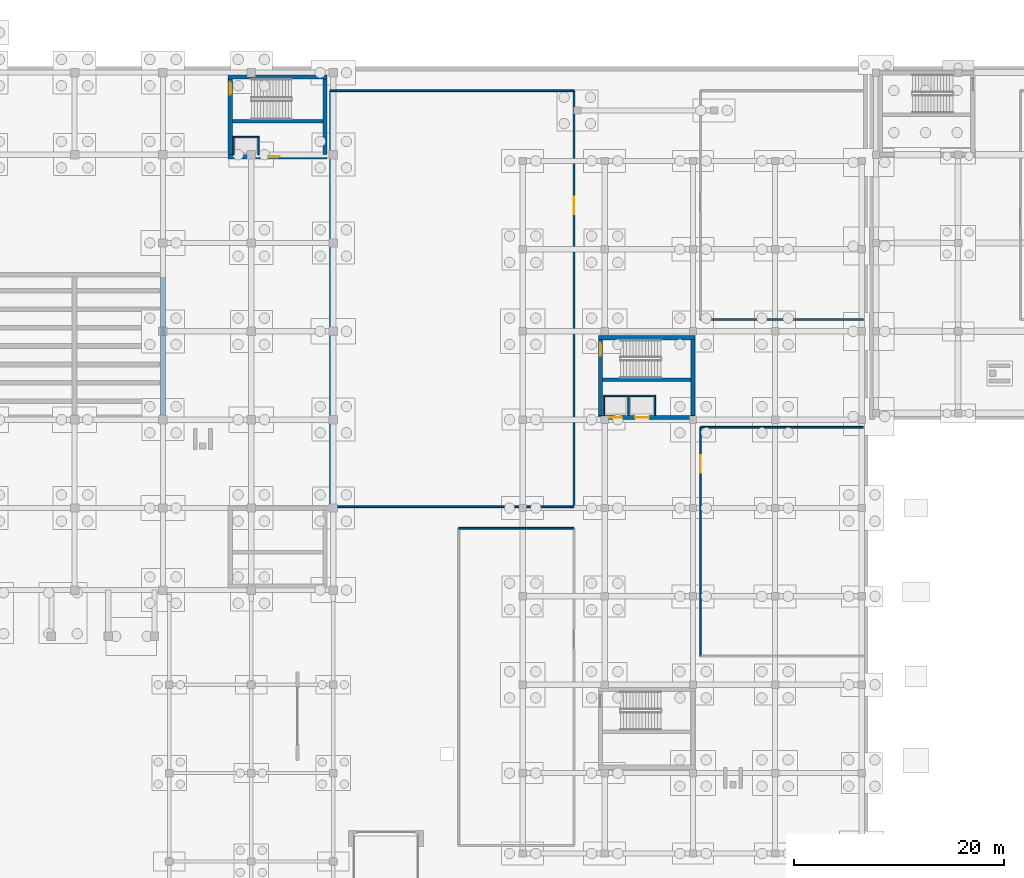
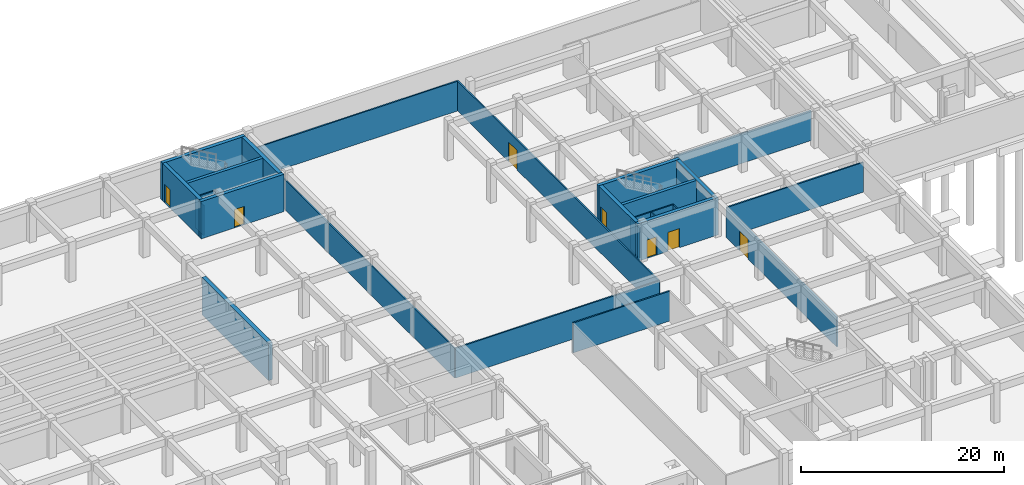
# One storey, part 21 of 35: 26 walls, 7 doors, 7 openings.
"""IFC4 building model written with IfcOpenShell, lengths in metres."""

from ifc_helpers import new_model, si_unit, direction, frame, frame_2d, origin, place, context, subcontext, project, spatial, rectangle, extrude, material, layer, layer_set, type_object, element, fill, save


model = new_model("IFC4")

# Units and contexts
model_context = context("Model", 3, precision=1e-05, world=origin(), true_north=direction((0.0, 1.0)))
body_context = subcontext(model_context, "Body", "Model", "MODEL_VIEW")
ifc_project = project(units=[si_unit("LENGTHUNIT", "METRE"), si_unit("AREAUNIT", "SQUARE_METRE"), si_unit("VOLUMEUNIT", "CUBIC_METRE"), si_unit("PLANEANGLEUNIT", "RADIAN"), si_unit("MASSUNIT", "GRAM", prefix="KILO")], contexts=[model_context])

# Site, building, storey
site_placement = place(None, origin())
site = spatial("IfcSite", under=ifc_project, at=site_placement, CompositionType="ELEMENT")
building_placement = place(site_placement, origin())
building = spatial("IfcBuilding", under=site, at=building_placement, Name="Zayran Congress Hotel", CompositionType="ELEMENT")
storey_placement = place(building_placement, frame((0.0, 0.0, -4.800048828125)))
storey = spatial("IfcBuildingStorey", under=building, at=storey_placement, Name="B1", CompositionType="ELEMENT", Elevation=-4.800048828125)

# Wall
ifc_material_1 = material(Name="Concrete C32/40", Category="concrete")
ifc_layer_1 = layer(ifc_material_1, 0.449951171875)
ifc_layer_set_1 = layer_set([ifc_layer_1], Name="Concrete C32/40")
wall_type_1 = type_object("IfcWallType", Name="WL-RT-450", PredefinedType="USERDEFINED", material=ifc_layer_set_1)
wall_1_placement = place(storey_placement, frame((75.60009765625, 84.85009765625, 0.0), z_axis=(0.0, 0.0, 1.0), x_axis=(0.0, 1.0, 0.0)))
element("IfcWall", 1, at=wall_1_placement, inside=storey, type_object=wall_type_1, Name="RKWALL-B1-75", ObjectType="RETAININGWALL", PredefinedType="USERDEFINED", context=body_context, shape_type="SweptSolid", body=[
    extrude(rectangle(XDim=13.099853515625, YDim=0.449951171875, at=frame_2d((6.5498046875, 0.0))), origin(), (0.0, 0.0, 1.0), 4.47998046875),
])

# Wall, opening, door
ifc_material_2 = material(Name="Concrete C40/50", Category="concrete")
ifc_layer_2 = layer(ifc_material_2, 0.39990234375)
ifc_layer_set_2 = layer_set([ifc_layer_2], Name="Concrete C40/50")
wall_type_2 = type_object("IfcWallType", Name="WL-SH-400", PredefinedType="SHEAR", material=ifc_layer_set_2)
wall_2_placement = place(storey_placement, frame((81.800048828125, 109.39990234375, 0.0), z_axis=(0.0, 0.0, 1.0), x_axis=(1.0, 0.0, 0.0)))
wall_2 = element("IfcWall", 2, at=wall_2_placement, inside=storey, type_object=wall_type_2, Name="CWALL-C-V1E-B1-S", PredefinedType="SHEAR", context=body_context, shape_type="SweptSolid", body=[
    extrude(rectangle(XDim=9.39990234375, YDim=0.39990234375, at=frame_2d((4.699951171875, 0.0))), origin(), (0.0, 0.0, 1.0), 4.47998046875),
])
opening_1_placement = place(wall_2_placement, frame((3.800048828125, 0.0, 0.0)))
opening_1 = element("IfcOpeningElement", 3, at=opening_1_placement, cuts=wall_2, Name="Opening LD-PL05", PredefinedType="OPENING", context=body_context, shape_type="SweptSolid", body=[
    extrude(rectangle(XDim=1.10009765625, YDim=2.199951171875, at=frame_2d((0.550048828125, 1.10009765625))), frame((0.0, 0.2099609375, 0.0), z_axis=(0.0, -1.0, 0.0), x_axis=(1.0, 0.0, 0.0)), (0.0, 0.0, 1.0), 0.419921875),
])
ifc_material_3 = material(Name="Brushed stainless steel sliding lift landing door", Category="steel")
door_type_1 = type_object("IfcDoorType", Name="TP-DR-LD-01", OperationType="DOUBLE_DOOR_SLIDING", PredefinedType="DOOR", material=ifc_material_3)
door_1_placement = place(opening_1_placement, origin())
door_1 = element("IfcDoor", 4, at=door_1_placement, inside=storey, type_object=door_type_1, Name="Lift PL-05 Sliding Landing Door B1", OperationType="DOUBLE_DOOR_SLIDING", OverallHeight=2.199951171875, OverallWidth=1.10009765625, PredefinedType="DOOR", context=body_context, shape_type="SweptSolid", body=[
    extrude(rectangle(XDim=1.10009765625, YDim=2.199951171875, at=frame_2d((0.550048828125, 1.10009765625))), frame((0.0, 0.02490234375, 0.0), z_axis=(0.0, -1.0, 0.0), x_axis=(1.0, 0.0, 0.0)), (0.0, 0.0, 1.0), 0.050048828125),
])
fill(opening_1, door_1)

# Wall
wall_3_placement = place(storey_placement, frame((91.199951171875, 116.985107421875, 0.0), z_axis=(0.0, 0.0, 1.0), x_axis=(-1.0, 0.0, 0.0)))
element("IfcWall", 5, at=wall_3_placement, inside=storey, type_object=wall_type_2, Name="CWALL-C-V1E-B1-N", PredefinedType="SHEAR", context=body_context, shape_type="SweptSolid", body=[
    extrude(rectangle(XDim=9.39990234375, YDim=0.39990234375, at=frame_2d((4.699951171875, 0.0))), origin(), (0.0, 0.0, 1.0), 4.47998046875),
])

# Wall, opening, door
wall_4_placement = place(storey_placement, frame((82.0, 116.800048828125, 0.0), z_axis=(0.0, 0.0, 1.0), x_axis=(0.0, -1.0, 0.0)))
wall_4 = element("IfcWall", 6, at=wall_4_placement, inside=storey, type_object=wall_type_2, Name="CWALL-C-V1E-B1-W", PredefinedType="SHEAR", context=body_context, shape_type="SweptSolid", body=[
    extrude(rectangle(XDim=7.199951171875, YDim=0.39990234375, at=frame_2d((3.60009765625, 0.0))), origin(), (0.0, 0.0, 1.0), 4.47998046875),
])
opening_2_placement = place(wall_4_placement, frame((0.35009765625, 0.0, 0.0)))
opening_2 = element("IfcOpeningElement", 7, at=opening_2_placement, cuts=wall_4, Name="Opening DR-FD-90", PredefinedType="OPENING", context=body_context, shape_type="SweptSolid", body=[
    extrude(rectangle(XDim=1.14990234375, YDim=2.199951171875, at=frame_2d((0.574951171875, 1.10009765625))), frame((0.0, 0.2099609375, 0.0), z_axis=(0.0, -1.0, 0.0), x_axis=(1.0, 0.0, 0.0)), (0.0, 0.0, 1.0), 0.419921875),
])
ifc_material_4 = material(Name="Painted steel fire door assembly", Category="steel")
door_type_2 = type_object("IfcDoorType", Name="TP-DR-FD-90", OperationType="NOTDEFINED", PredefinedType="DOOR", material=ifc_material_4)
door_2_placement = place(opening_2_placement, origin())
door_2 = element("IfcDoor", 8, at=door_2_placement, inside=storey, type_object=door_type_2, Name="ST-04 Exit Stair Door B1", OperationType="SINGLE_SWING_LEFT", OverallHeight=2.199951171875, OverallWidth=1.14990234375, PredefinedType="DOOR", context=body_context, shape_type="SweptSolid", body=[
    extrude(rectangle(XDim=1.14990234375, YDim=2.199951171875, at=frame_2d((0.574951171875, 1.10009765625))), frame((0.0, 0.02490234375, 0.0), z_axis=(0.0, -1.0, 0.0), x_axis=(1.0, 0.0, 0.0)), (0.0, 0.0, 1.0), 0.050048828125),
])
fill(opening_2, door_2)

# Wall
wall_5_placement = place(storey_placement, frame((91.0, 109.60009765625, 0.0), z_axis=(0.0, 0.0, 1.0), x_axis=(0.0, 1.0, 0.0)))
element("IfcWall", 9, at=wall_5_placement, inside=storey, type_object=wall_type_2, Name="CWALL-C-V1E-B1-E", PredefinedType="SHEAR", context=body_context, shape_type="SweptSolid", body=[
    extrude(rectangle(XDim=7.199951171875, YDim=0.39990234375, at=frame_2d((3.60009765625, 0.0))), origin(), (0.0, 0.0, 1.0), 4.47998046875),
])

# Wall, openings, doors
wall_6_placement = place(storey_placement, frame((117.0, 84.60009765625, 0.0), z_axis=(0.0, 0.0, 1.0), x_axis=(1.0, 0.0, 0.0)))
wall_6 = element("IfcWall", 10, at=wall_6_placement, inside=storey, type_object=wall_type_2, Name="CWALL-C-V4N-B1-S", PredefinedType="SHEAR", context=body_context, shape_type="SweptSolid", body=[
    extrude(rectangle(XDim=9.199951171875, YDim=0.39990234375, at=frame_2d((4.60009765625, 0.0))), origin(), (0.0, 0.0, 1.0), 4.47998046875),
])
opening_3_placement = place(wall_6_placement, frame((1.10009765625, 0.0, 0.0)))
opening_3 = element("IfcOpeningElement", 11, at=opening_3_placement, cuts=wall_6, Name="Opening LD-PL06", PredefinedType="OPENING", context=body_context, shape_type="SweptSolid", body=[
    extrude(rectangle(XDim=1.10009765625, YDim=2.199951171875, at=frame_2d((0.550048828125, 1.10009765625))), frame((0.0, 0.2099609375, 0.0), z_axis=(0.0, -1.0, 0.0), x_axis=(1.0, 0.0, 0.0)), (0.0, 0.0, 1.0), 0.419921875),
])
opening_4_placement = place(wall_6_placement, frame((3.5, 0.0, 0.0)))
opening_4 = element("IfcOpeningElement", 12, at=opening_4_placement, cuts=wall_6, Name="Opening LD-SV02", PredefinedType="OPENING", context=body_context, shape_type="SweptSolid", body=[
    extrude(rectangle(XDim=1.300048828125, YDim=2.300048828125, at=frame_2d((0.64990234375, 1.14990234375))), frame((0.0, 0.2099609375, 0.0), z_axis=(0.0, -1.0, 0.0), x_axis=(1.0, 0.0, 0.0)), (0.0, 0.0, 1.0), 0.419921875),
])
door_3_placement = place(opening_3_placement, origin())
door_3 = element("IfcDoor", 13, at=door_3_placement, inside=storey, type_object=door_type_1, Name="Lift PL-06 Sliding Landing Door B1", OperationType="DOUBLE_DOOR_SLIDING", OverallHeight=2.199951171875, OverallWidth=1.10009765625, PredefinedType="DOOR", context=body_context, shape_type="SweptSolid", body=[
    extrude(rectangle(XDim=1.10009765625, YDim=2.199951171875, at=frame_2d((0.550048828125, 1.10009765625))), frame((0.0, 0.02490234375, 0.0), z_axis=(0.0, -1.0, 0.0), x_axis=(1.0, 0.0, 0.0)), (0.0, 0.0, 1.0), 0.050048828125),
])
fill(opening_3, door_3)
ifc_material_5 = material(Name="Heavy-duty stainless steel service lift landing door", Category="steel")
door_type_3 = type_object("IfcDoorType", Name="TP-DR-LD-03", OperationType="DOUBLE_DOOR_SLIDING", PredefinedType="DOOR", material=ifc_material_5)
door_4_placement = place(opening_4_placement, origin())
door_4 = element("IfcDoor", 14, at=door_4_placement, inside=storey, type_object=door_type_3, Name="Lift SV-02 Sliding Landing Door B1", OperationType="DOUBLE_DOOR_SLIDING", OverallHeight=2.300048828125, OverallWidth=1.300048828125, PredefinedType="DOOR", context=body_context, shape_type="SweptSolid", body=[
    extrude(rectangle(XDim=1.300048828125, YDim=2.300048828125, at=frame_2d((0.64990234375, 1.14990234375))), frame((0.0, 0.02490234375, 0.0), z_axis=(0.0, -1.0, 0.0), x_axis=(1.0, 0.0, 0.0)), (0.0, 0.0, 1.0), 0.050048828125),
])
fill(opening_4, door_4)

# Wall
wall_7_placement = place(storey_placement, frame((126.199951171875, 92.18505859375, 0.0), z_axis=(0.0, 0.0, 1.0), x_axis=(-1.0, 0.0, 0.0)))
element("IfcWall", 15, at=wall_7_placement, inside=storey, type_object=wall_type_2, Name="CWALL-C-V4N-B1-N", PredefinedType="SHEAR", context=body_context, shape_type="SweptSolid", body=[
    extrude(rectangle(XDim=9.199951171875, YDim=0.39990234375, at=frame_2d((4.60009765625, 0.0))), origin(), (0.0, 0.0, 1.0), 4.47998046875),
])

# Wall, opening, door
wall_8_placement = place(storey_placement, frame((117.199951171875, 92.0, 0.0), z_axis=(0.0, 0.0, 1.0), x_axis=(0.0, -1.0, 0.0)))
wall_8 = element("IfcWall", 16, at=wall_8_placement, inside=storey, type_object=wall_type_2, Name="CWALL-C-V4N-B1-W", PredefinedType="SHEAR", context=body_context, shape_type="SweptSolid", body=[
    extrude(rectangle(XDim=7.199951171875, YDim=0.39990234375, at=frame_2d((3.60009765625, 0.0))), origin(), (0.0, 0.0, 1.0), 4.47998046875),
])
opening_5_placement = place(wall_8_placement, frame((0.35009765625, 0.0, 0.0)))
opening_5 = element("IfcOpeningElement", 17, at=opening_5_placement, cuts=wall_8, Name="Opening DR-FD-90", PredefinedType="OPENING", context=body_context, shape_type="SweptSolid", body=[
    extrude(rectangle(XDim=1.14990234375, YDim=2.199951171875, at=frame_2d((0.574951171875, 1.10009765625))), frame((0.0, 0.2099609375, 0.0), z_axis=(0.0, -1.0, 0.0), x_axis=(1.0, 0.0, 0.0)), (0.0, 0.0, 1.0), 0.419921875),
])
door_5_placement = place(opening_5_placement, origin())
door_5 = element("IfcDoor", 18, at=door_5_placement, inside=storey, type_object=door_type_2, Name="ST-07 Exit Stair Door B1", OperationType="SINGLE_SWING_RIGHT", OverallHeight=2.199951171875, OverallWidth=1.14990234375, PredefinedType="DOOR", context=body_context, shape_type="SweptSolid", body=[
    extrude(rectangle(XDim=1.14990234375, YDim=2.199951171875, at=frame_2d((0.574951171875, 1.10009765625))), frame((0.0, 0.02490234375, 0.0), z_axis=(0.0, -1.0, 0.0), x_axis=(1.0, 0.0, 0.0)), (0.0, 0.0, 1.0), 0.050048828125),
])
fill(opening_5, door_5)

# Walls
wall_9_placement = place(storey_placement, frame((126.0, 84.800048828125, 0.0), z_axis=(0.0, 0.0, 1.0), x_axis=(0.0, 1.0, 0.0)))
element("IfcWall", 19, at=wall_9_placement, inside=storey, type_object=wall_type_2, Name="CWALL-C-V4N-B1-E", PredefinedType="SHEAR", context=body_context, shape_type="SweptSolid", body=[
    extrude(rectangle(XDim=7.199951171875, YDim=0.39990234375, at=frame_2d((3.60009765625, 0.0))), origin(), (0.0, 0.0, 1.0), 4.47998046875),
])
ifc_layer_3 = layer(ifc_material_2, 0.35009765625)
ifc_layer_set_3 = layer_set([ifc_layer_3], Name="Concrete C40/50")
wall_type_3 = type_object("IfcWallType", Name="WL-SH-350", PredefinedType="SHEAR", material=ifc_layer_set_3)
wall_10_placement = place(storey_placement, frame((82.199951171875, 112.784912109375, 0.0), z_axis=(0.0, 0.0, 1.0), x_axis=(1.0, 0.0, 0.0)))
element("IfcWall", 20, at=wall_10_placement, inside=storey, type_object=wall_type_3, Name="CWALL-C-V1E-B1-SPN", PredefinedType="SHEAR", context=body_context, shape_type="SweptSolid", body=[
    extrude(rectangle(XDim=8.60009765625, YDim=0.35009765625, at=frame_2d((4.300048828125, 0.0))), origin(), (0.0, 0.0, 1.0), 4.47998046875),
])
wall_11_placement = place(storey_placement, frame((117.39990234375, 88.18505859375, 0.0), z_axis=(0.0, 0.0, 1.0), x_axis=(1.0, 0.0, 0.0)))
element("IfcWall", 21, at=wall_11_placement, inside=storey, type_object=wall_type_3, Name="CWALL-C-V4N-B1-SPN", PredefinedType="SHEAR", context=body_context, shape_type="SweptSolid", body=[
    extrude(rectangle(XDim=8.400146484375, YDim=0.35009765625, at=frame_2d((4.2001953125, 0.0))), origin(), (0.0, 0.0, 1.0), 4.47998046875),
])

# Wall, opening, door
ifc_material_6 = material(Name="Acoustic twin-stud gypsum partition", Category="gypsum")
ifc_layer_4 = layer(ifc_material_6, 0.159912109375)
ifc_layer_set_4 = layer_set([ifc_layer_4], Name="Acoustic twin-stud gypsum partition")
wall_type_4 = type_object("IfcWallType", Name="WL-PT-160", PredefinedType="PARTITIONING", material=ifc_layer_set_4)
wall_12_placement = place(storey_placement, frame((114.679931640625, 76.1201171875, 0.0), z_axis=(0.0, 0.0, 1.0), x_axis=(0.0, 1.0, 0.0)))
wall_12 = element("IfcWall", 22, at=wall_12_placement, inside=storey, type_object=wall_type_4, Name="IW-B1-0379", PredefinedType="PARTITIONING", context=body_context, shape_type="SweptSolid", body=[
    extrude(rectangle(XDim=39.559814453125, YDim=0.159912109375, at=frame_2d((19.77978515625, 0.0))), origin(), (0.0, 0.0, 1.0), 3.580078125),
])
opening_6_placement = place(wall_12_placement, frame((27.806884765625, 0.0, 0.0)))
opening_6 = element("IfcOpeningElement", 23, at=opening_6_placement, cuts=wall_12, Name="Opening DR-PL-01", PredefinedType="OPENING", context=body_context, shape_type="SweptSolid", body=[
    extrude(rectangle(XDim=1.64990234375, YDim=2.35009765625, at=frame_2d((0.824951171875, 1.175048828125))), frame((0.0, 0.08984375, 0.0), z_axis=(0.0, -1.0, 0.0), x_axis=(1.0, 0.0, 0.0)), (0.0, 0.0, 1.0), 0.179931640625),
])
ifc_material_7 = material(Name="Painted steel plant room double fire door", Category="steel")
door_type_4 = type_object("IfcDoorType", Name="TP-DR-PL-01", OperationType="DOUBLE_DOOR_SINGLE_SWING", PredefinedType="DOOR", material=ifc_material_7)
door_6_placement = place(opening_6_placement, origin())
door_6 = element("IfcDoor", 24, at=door_6_placement, inside=storey, type_object=door_type_4, Name="Chiller Plant Room B1 Door", OperationType="DOUBLE_DOOR_SINGLE_SWING", OverallHeight=2.35009765625, OverallWidth=1.64990234375, PredefinedType="DOOR", context=body_context, shape_type="SweptSolid", body=[
    extrude(rectangle(XDim=1.64990234375, YDim=2.35009765625, at=frame_2d((0.824951171875, 1.175048828125))), frame((0.0, 0.02490234375, 0.0), z_axis=(0.0, -1.0, 0.0), x_axis=(1.0, 0.0, 0.0)), (0.0, 0.0, 1.0), 0.050048828125),
])
fill(opening_6, door_6)

wall_13_placement = place(storey_placement, frame((126.719970703125, 61.919921875, 0.0), z_axis=(0.0, 0.0, 1.0), x_axis=(0.0, 1.0, 0.0)))
wall_13 = element("IfcWall", 25, at=wall_13_placement, inside=storey, type_object=wall_type_4, Name="IW-B1-0382", PredefinedType="PARTITIONING", context=body_context, shape_type="SweptSolid", body=[
    extrude(rectangle(XDim=21.760009765625, YDim=0.159912109375, at=frame_2d((10.8798828125, 0.0))), origin(), (0.0, 0.0, 1.0), 3.580078125),
])
opening_7_placement = place(wall_13_placement, frame((17.429931640625, 0.0, 0.0)))
opening_7 = element("IfcOpeningElement", 26, at=opening_7_placement, cuts=wall_13, Name="Opening DR-PL-01", PredefinedType="OPENING", context=body_context, shape_type="SweptSolid", body=[
    extrude(rectangle(XDim=1.64990234375, YDim=2.35009765625, at=frame_2d((0.824951171875, 1.175048828125))), frame((0.0, 0.08984375, 0.0), z_axis=(0.0, -1.0, 0.0), x_axis=(1.0, 0.0, 0.0)), (0.0, 0.0, 1.0), 0.179931640625),
])
door_7_placement = place(opening_7_placement, origin())
door_7 = element("IfcDoor", 27, at=door_7_placement, inside=storey, type_object=door_type_4, Name="Rainwater Cistern and Greywater Plant B1 Door", OperationType="DOUBLE_DOOR_SINGLE_SWING", OverallHeight=2.35009765625, OverallWidth=1.64990234375, PredefinedType="DOOR", context=body_context, shape_type="SweptSolid", body=[
    extrude(rectangle(XDim=1.64990234375, YDim=2.35009765625, at=frame_2d((0.824951171875, 1.175048828125))), frame((0.0, 0.02490234375, 0.0), z_axis=(0.0, -1.0, 0.0), x_axis=(1.0, 0.0, 0.0)), (0.0, 0.0, 1.0), 0.050048828125),
])
fill(opening_7, door_7)

# Walls
for number, where, z_axis, x_axis, name in (
    (28, (91.52001953125, 76.1201171875, 0.0), (0.0, 0.0, 1.0), (1.0, 0.0, 0.0), "IW-B1-1632"),
    (29, (91.52001953125, 115.679931640625, 0.0), (0.0, 0.0, 1.0), (1.0, 0.0, 0.0), "IW-B1-1633"),
):
    element("IfcWall", number, at=place(storey_placement, frame(where, z_axis=z_axis, x_axis=x_axis)), inside=storey, type_object=wall_type_4, Name=name, PredefinedType="PARTITIONING", context=body_context, shape_type="SweptSolid", body=[
        extrude(rectangle(XDim=23.159912109375, YDim=0.159912109375, at=frame_2d((11.580078125, 0.0))), origin(), (0.0, 0.0, 1.0), 3.580078125),
    ])
wall_14_placement = place(storey_placement, frame((91.52001953125, 76.1201171875, 0.0), z_axis=(0.0, 0.0, 1.0), x_axis=(0.0, 1.0, 0.0)))
element("IfcWall", 30, at=wall_14_placement, inside=storey, type_object=wall_type_4, Name="IW-B1-1634", PredefinedType="PARTITIONING", context=body_context, shape_type="SweptSolid", body=[
    extrude(rectangle(XDim=39.559814453125, YDim=0.159912109375, at=frame_2d((19.77978515625, 0.0))), origin(), (0.0, 0.0, 1.0), 3.580078125),
])
wall_15_placement = place(storey_placement, frame((103.719970703125, 74.080078125, 0.0), z_axis=(0.0, 0.0, 1.0), x_axis=(1.0, 0.0, 0.0)))
element("IfcWall", 31, at=wall_15_placement, inside=storey, type_object=wall_type_4, Name="IW-B1-1636", PredefinedType="PARTITIONING", context=body_context, shape_type="SweptSolid", body=[
    extrude(rectangle(XDim=10.9599609375, YDim=0.159912109375, at=frame_2d((5.47998046875, 0.0))), origin(), (0.0, 0.0, 1.0), 3.580078125),
])
for number, where, z_axis, x_axis, name in (
    (32, (126.719970703125, 93.919921875, 0.0), (0.0, 0.0, 1.0), (1.0, 0.0, 0.0), "IW-B1-1638"),
    (33, (126.719970703125, 83.679931640625, 0.0), (0.0, 0.0, 1.0), (1.0, 0.0, 0.0), "IW-B1-1641"),
):
    element("IfcWall", number, at=place(storey_placement, frame(where, z_axis=z_axis, x_axis=x_axis)), inside=storey, type_object=wall_type_4, Name=name, PredefinedType="PARTITIONING", context=body_context, shape_type="SweptSolid", body=[
        extrude(rectangle(XDim=15.47998046875, YDim=0.159912109375, at=frame_2d((7.739990234375, 0.0))), origin(), (0.0, 0.0, 1.0), 3.580078125),
    ])
ifc_material_8 = material(Name="Hospitality guestroom acoustic partition", Category="gypsum")
ifc_layer_5 = layer(ifc_material_8, 0.139892578125)
ifc_layer_set_5 = layer_set([ifc_layer_5], Name="Hospitality guestroom acoustic partition")
wall_type_5 = type_object("IfcWallType", Name="WL-PT-140", PredefinedType="PARTITIONING", material=ifc_layer_set_5)
for number, where, z_axis, x_axis, name in (
    (34, (82.330078125, 109.60009765625, 0.0), (0.0, 0.0, 1.0), (0.0, 1.0, 0.0), "LSHW-C-V1E-B1-W"),
    (35, (84.669921875, 109.60009765625, 0.0), (0.0, 0.0, 1.0), (0.0, 1.0, 0.0), "LSHW-C-V1E-B1-E"),
):
    element("IfcWall", number, at=place(storey_placement, frame(where, z_axis=z_axis, x_axis=x_axis)), inside=storey, type_object=wall_type_5, Name=name, PredefinedType="PARTITIONING", context=body_context, shape_type="SweptSolid", body=[
        extrude(rectangle(XDim=1.599853515625, YDim=0.139892578125, at=frame_2d((0.7998046875, 0.0))), origin(), (0.0, 0.0, 1.0), 3.630126953125),
    ])
wall_16_placement = place(storey_placement, frame((82.260009765625, 111.27001953125, 0.0), z_axis=(0.0, 0.0, 1.0), x_axis=(1.0, 0.0, 0.0)))
element("IfcWall", 36, at=wall_16_placement, inside=storey, type_object=wall_type_5, Name="LSHW-C-V1E-B1-N", PredefinedType="PARTITIONING", context=body_context, shape_type="SweptSolid", body=[
    extrude(rectangle(XDim=2.47998046875, YDim=0.139892578125, at=frame_2d((1.239990234375, 0.0))), origin(), (0.0, 0.0, 1.0), 3.630126953125),
])
for number, where, z_axis, x_axis, name in (
    (37, (117.530029296875, 84.800048828125, 0.0), (0.0, 0.0, 1.0), (0.0, 1.0, 0.0), "LSHW-C-V4N-B1-W"),
    (38, (119.85009765625, 84.800048828125, 0.0), (0.0, 0.0, 1.0), (0.0, 1.0, 0.0), "LSHW-C-V4N-B1-DIV1"),
    (39, (122.3701171875, 84.800048828125, 0.0), (0.0, 0.0, 1.0), (0.0, 1.0, 0.0), "LSHW-C-V4N-B1-E"),
):
    element("IfcWall", number, at=place(storey_placement, frame(where, z_axis=z_axis, x_axis=x_axis)), inside=storey, type_object=wall_type_5, Name=name, PredefinedType="PARTITIONING", context=body_context, shape_type="SweptSolid", body=[
        extrude(rectangle(XDim=1.800048828125, YDim=0.139892578125, at=frame_2d((0.89990234375, 0.0))), origin(), (0.0, 0.0, 1.0), 3.630126953125),
    ])
wall_17_placement = place(storey_placement, frame((117.4599609375, 86.669921875, 0.0), z_axis=(0.0, 0.0, 1.0), x_axis=(1.0, 0.0, 0.0)))
element("IfcWall", 40, at=wall_17_placement, inside=storey, type_object=wall_type_5, Name="LSHW-C-V4N-B1-N", PredefinedType="PARTITIONING", context=body_context, shape_type="SweptSolid", body=[
    extrude(rectangle(XDim=4.97998046875, YDim=0.139892578125, at=frame_2d((2.489990234375, 0.0))), origin(), (0.0, 0.0, 1.0), 3.630126953125),
])

save(model, "model.ifc")
